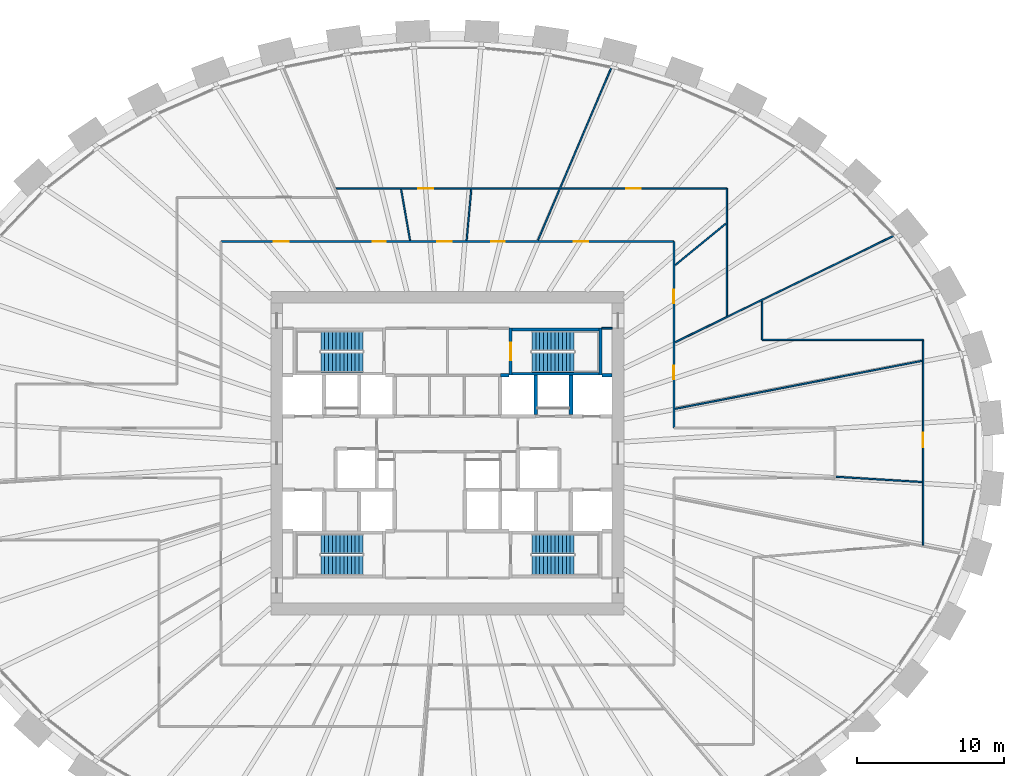
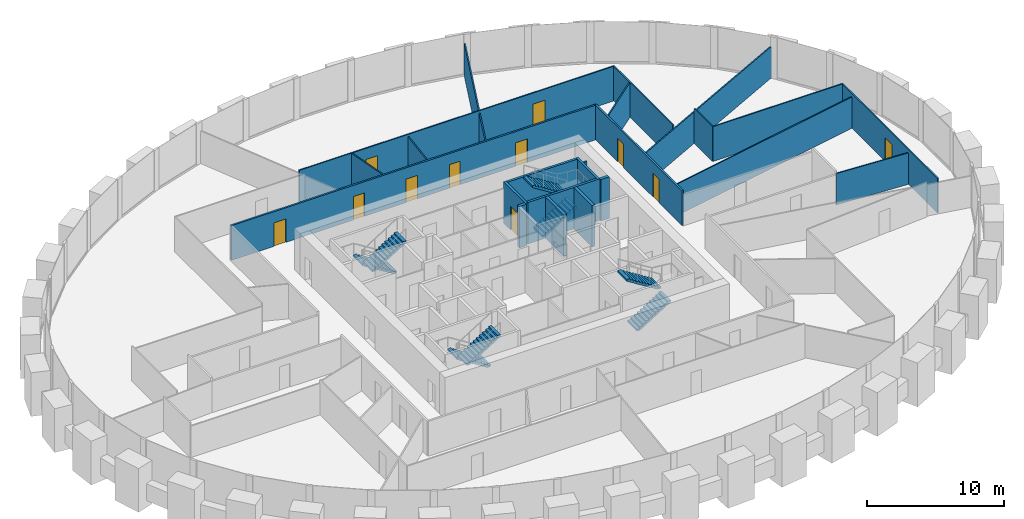
# One storey, part 9 of 10: 23 walls, 11 doors, 8 stair flights, 11 openings, 4 elements without a shape of their own.
"""IFC4 building model written with IfcOpenShell, lengths in metres."""

import ifcopenshell
import ifcopenshell.guid

model = None  # the IFC model being written
_history = None  # IfcOwnerHistory: only IFC2X3 demands one
_inside = {}  # id of a spatial element -> (the spatial element, [elements in it])
_under = {}  # id of a project, library or spatial element -> (it, [spatial elements below it])
_declared = {}  # id of a project -> (the project, [libraries it declares])
_typed = {}  # id of a type object -> (the type object, [elements of that type])
_made_of = {}  # id of a material, layer set ... -> (it, [elements and type objects made of it])


def new_model(schema):
    """Start an empty IFC model of exactly this schema.

    Asked for "IFC4X3", IfcOpenShell would pick the latest addendum, in which some entities
    have other attributes; the version numbers below select the first issue.
    IFC2X3 requires an IfcOwnerHistory on every rooted entity: one is made here for all.
    """
    global model, _history
    if schema == "IFC4X3":
        model = ifcopenshell.file(schema_version=(4, 3, 0, 0))
    else:
        model = ifcopenshell.file(schema=schema)
    _inside.clear()
    _under.clear()
    _declared.clear()
    _typed.clear()
    _made_of.clear()
    _history = None
    if model.schema == "IFC2X3":
        org = make("IfcOrganization", Name="unknown")
        user = make(
            "IfcPersonAndOrganization",
            ThePerson=make("IfcPerson", FamilyName="unknown"),
            TheOrganization=org,
        )
        app = make(
            "IfcApplication",
            ApplicationDeveloper=org,
            Version="unknown",
            ApplicationFullName="unknown",
            ApplicationIdentifier="unknown",
        )
        _history = make(
            "IfcOwnerHistory",
            OwningUser=user,
            OwningApplication=app,
            ChangeAction="ADDED",
            CreationDate=0,
        )
    return model


def make(cls, **values):
    """One entity of the class cls with the attributes given. An attribute that is None is left unset."""
    return model.create_entity(
        cls, **{name: value for name, value in values.items() if value is not None}
    )


def rooted(cls, **values):
    """An entity with a GlobalId (a new one), such as an element, a storey or a relation."""
    return make(cls, GlobalId=ifcopenshell.guid.new(), OwnerHistory=_history, **values)


def si_unit(unit_type, name, prefix=None):
    """IfcSIUnit, for example si_unit("LENGTHUNIT", "METRE", prefix="MILLI")."""
    return make("IfcSIUnit", UnitType=unit_type, Prefix=prefix, Name=name)


def assignment(units):
    """IfcUnitAssignment: the units of a project."""
    return None if units is None else make("IfcUnitAssignment", Units=units)


def point(xyz):
    """IfcCartesianPoint."""
    return None if xyz is None else make("IfcCartesianPoint", Coordinates=xyz)


def direction(xyz):
    """IfcDirection."""
    return None if xyz is None else make("IfcDirection", DirectionRatios=xyz)


def frame(location, z_axis=None, x_axis=None):
    """IfcAxis2Placement3D, a coordinate frame: its origin and axes. An axis left out is left unset."""
    return make(
        "IfcAxis2Placement3D",
        Location=point(location),
        Axis=direction(z_axis),
        RefDirection=direction(x_axis),
    )


def frame_2d(location, x_axis=None):
    """IfcAxis2Placement2D, a coordinate frame in the plane: its origin and x axis."""
    return make(
        "IfcAxis2Placement2D", Location=point(location), RefDirection=direction(x_axis)
    )


def origin():
    """The frame at (0, 0, 0) with its axes left unset."""
    return frame((0.0, 0.0, 0.0))


def place(relative_to, where):
    """IfcLocalPlacement: puts the frame where relative to a parent placement (None: the world)."""
    return make(
        "IfcLocalPlacement", PlacementRelTo=relative_to, RelativePlacement=where
    )


def context(
    kind, dimensions, precision=None, world=None, true_north=None, identifier=None
):
    """IfcGeometricRepresentationContext, for example the 3D "Model" context."""
    return make(
        "IfcGeometricRepresentationContext",
        ContextIdentifier=identifier,
        ContextType=kind,
        CoordinateSpaceDimension=dimensions,
        Precision=precision,
        WorldCoordinateSystem=world,
        TrueNorth=true_north,
    )


def subcontext(parent, identifier, kind, view, scale=None):
    """IfcGeometricRepresentationSubContext, for example "Body" below "Model"."""
    return make(
        "IfcGeometricRepresentationSubContext",
        ContextIdentifier=identifier,
        ContextType=kind,
        ParentContext=parent,
        TargetScale=scale,
        TargetView=view,
    )


def project(units=None, contexts=None):
    """IfcProject with its units and contexts."""
    return rooted(
        "IfcProject",
        Name="project",
        RepresentationContexts=contexts,
        UnitsInContext=assignment(units),
    )


def spatial(cls, under=None, at=None, **own):
    """A site, building, storey or space (cls), placed at a placement, below another one or the project."""
    s = rooted(cls, ObjectPlacement=at, **own)
    if under is not None:
        _under.setdefault(under.id(), (under, []))[1].append(s)
    return s


def polyline(points):
    """IfcPolyline through the points."""
    return make("IfcPolyline", Points=[point(p) for p in points])


def profile(cls, at=None, kind="AREA", **sizes):
    """A parametric profile (cls). Its sizes go by their IFC names, for example OverallWidth=200.0."""
    return make(cls, ProfileType=kind, Position=at, **sizes)


def rectangle(**sizes):
    """IfcRectangleProfileDef."""
    return profile("IfcRectangleProfileDef", **sizes)


def outline(outer, holes=None, kind="AREA"):
    """IfcArbitraryClosedProfileDef: a profile drawn as a closed curve; with holes, ...WithVoids."""
    if holes is None:
        return make("IfcArbitraryClosedProfileDef", ProfileType=kind, OuterCurve=outer)
    return make(
        "IfcArbitraryProfileDefWithVoids",
        ProfileType=kind,
        OuterCurve=outer,
        InnerCurves=holes,
    )


def extrude(swept, where, along, depth):
    """IfcExtrudedAreaSolid: the profile swept, set in the frame where, extruded along a direction by depth."""
    return make(
        "IfcExtrudedAreaSolid",
        SweptArea=swept,
        Position=where,
        ExtrudedDirection=direction(along),
        Depth=depth,
    )


def shape(context_of_items, identifier, shape_type, items):
    """IfcShapeRepresentation: the items that make up one representation, for example the "Body"."""
    return make(
        "IfcShapeRepresentation",
        ContextOfItems=context_of_items,
        RepresentationIdentifier=identifier,
        RepresentationType=shape_type,
        Items=items,
    )


def source(mapping_origin, context_of_items, identifier, shape_type, items):
    """IfcRepresentationMap: a shape defined once, which mapped items show again and again."""
    return make(
        "IfcRepresentationMap",
        MappingOrigin=mapping_origin,
        MappedRepresentation=shape(context_of_items, identifier, shape_type, items),
    )


def transform(
    local_origin,
    x_axis=None,
    y_axis=None,
    z_axis=None,
    scale=None,
    scale2=None,
    scale3=None,
    uniform=True,
):
    """IfcCartesianTransformationOperator3D, or its non-uniform kind. x_axis, y_axis, z_axis: its Axis1, 2, 3."""
    if uniform:
        return make(
            "IfcCartesianTransformationOperator3D",
            Axis1=direction(x_axis),
            Axis2=direction(y_axis),
            LocalOrigin=point(local_origin),
            Scale=scale,
            Axis3=direction(z_axis),
        )
    return make(
        "IfcCartesianTransformationOperator3DnonUniform",
        Axis1=direction(x_axis),
        Axis2=direction(y_axis),
        LocalOrigin=point(local_origin),
        Scale=scale,
        Axis3=direction(z_axis),
        Scale2=scale2,
        Scale3=scale3,
    )


def mapped(mapping_source, mapping_target):
    """IfcMappedItem: shows the shape of a source again, moved by a transform."""
    return make(
        "IfcMappedItem", MappingSource=mapping_source, MappingTarget=mapping_target
    )


def material(Name=None, Category=None):
    """IfcMaterial."""
    return make("IfcMaterial", Name=Name, Category=Category)


def layer(
    of_material, thickness, ventilated=None, Name=None, Category=None, Priority=None
):
    """IfcMaterialLayer: one layer of a wall or slab, of a material (None: an air gap)."""
    return make(
        "IfcMaterialLayer",
        Material=of_material,
        LayerThickness=thickness,
        IsVentilated=ventilated,
        Name=Name,
        Category=Category,
        Priority=Priority,
    )


def layer_set(layers, Name=None):
    """IfcMaterialLayerSet."""
    return make("IfcMaterialLayerSet", MaterialLayers=layers, LayerSetName=Name)


def made_of(thing, what):
    """Note that an element or type object is made of a material, layer set ...; save() writes the relation."""
    if what is not None:
        _made_of.setdefault(what.id(), (what, []))[1].append(thing)
    return thing


def type_object(cls, material=None, **own):
    """A type object (cls), such as IfcWallType, which elements share."""
    return made_of(rooted(cls, **own), material)


def element(
    cls,
    number,
    at=None,
    inside=None,
    cuts=None,
    type_object=None,
    material=None,
    context=None,
    identifier="Body",
    shape_type=None,
    held_by="IfcProductDefinitionShape",
    body=None,
    shapes=None,
    **own,
):
    """One element of the class cls, such as IfcWall. Its Tag is "e" and its number.

    at: its placement. inside: the storey or other place that contains it. cuts: it is an
    opening in that element (IfcRelVoidsElement). A single representation is given by context,
    identifier, shape_type and body (its items); several are given by shapes. held_by: the class
    of the entity that holds the representations. save() writes the other relations.
    """
    e = rooted(cls, Tag="e%d" % number, ObjectPlacement=at, **own)
    if body is not None:
        shapes = [shape(context, identifier, shape_type, body)]
    if shapes is not None:
        e.Representation = make(held_by, Representations=shapes)
    if inside is not None:
        _inside.setdefault(inside.id(), (inside, []))[1].append(e)
    if cuts is not None:
        rooted(
            "IfcRelVoidsElement", RelatingBuildingElement=cuts, RelatedOpeningElement=e
        )
    if type_object is not None:
        _typed.setdefault(type_object.id(), (type_object, []))[1].append(e)
    return made_of(e, material)


def fill(opening, filler):
    """IfcRelFillsElement: the door or window that sits in an opening."""
    return rooted(
        "IfcRelFillsElement",
        RelatingOpeningElement=opening,
        RelatedBuildingElement=filler,
    )


def aggregate(whole, parts):
    """IfcRelAggregates: a whole, such as a stair, and the parts it consists of."""
    return rooted("IfcRelAggregates", RelatingObject=whole, RelatedObjects=parts)


def save(model, path):
    """Write the relations noted so far, then the file.

    IfcRelAggregates (storeys below a building ...), IfcRelContainedInSpatialStructure (elements
    in a storey), IfcRelDefinesByType, IfcRelAssociatesMaterial and IfcRelDeclares: one each for
    every whole, place, type object, material and project.
    """
    for whole, parts in _under.values():
        aggregate(whole, parts)
    for where, things in _inside.values():
        rooted(
            "IfcRelContainedInSpatialStructure",
            RelatedElements=things,
            RelatingStructure=where,
        )
    for kind, things in _typed.values():
        rooted("IfcRelDefinesByType", RelatedObjects=things, RelatingType=kind)
    for what, things in _made_of.values():
        rooted("IfcRelAssociatesMaterial", RelatedObjects=things, RelatingMaterial=what)
    for by, libraries in _declared.values():
        rooted("IfcRelDeclares", RelatingContext=by, RelatedDefinitions=libraries)
    model.write(path)


model = new_model("IFC4")

# Units and contexts
model_context = context("Model", 3, precision=1e-05, world=origin(), true_north=direction((0.0, 1.0)))
body_context = subcontext(model_context, "Body", "Model", "MODEL_VIEW")
ifc_project = project(units=[si_unit("LENGTHUNIT", "METRE"), si_unit("AREAUNIT", "SQUARE_METRE"), si_unit("VOLUMEUNIT", "CUBIC_METRE"), si_unit("PLANEANGLEUNIT", "RADIAN"), si_unit("MASSUNIT", "GRAM", prefix="KILO")], contexts=[model_context])

# Site, building, storey
site_placement = place(None, origin())
site = spatial("IfcSite", under=ifc_project, at=site_placement, CompositionType="ELEMENT")
building_placement = place(site_placement, origin())
building = spatial("IfcBuilding", under=site, at=building_placement, Name="Embergate Tower", CompositionType="ELEMENT")
storey_placement = place(building_placement, frame((0.0, 0.0, 175.5)))
storey = spatial("IfcBuildingStorey", under=building, at=storey_placement, Name="L39", CompositionType="ELEMENT", Elevation=175.5)

# Walls
ifc_material_1 = material(Name="Concrete C50", Category="concrete")
ifc_layer_1 = layer(ifc_material_1, 0.25)
ifc_layer_set_1 = layer_set([ifc_layer_1], Name="Concrete C50")
wall_type_1 = type_object("IfcWallType", Name="Hoistway wall reinforced concrete 250", PredefinedType="SHEAR", material=ifc_layer_set_1)
shared_shape_1 = source(origin(), body_context, "Body", "SweptSolid", [
    extrude(rectangle(XDim=2.675048828125, YDim=0.25, at=frame_2d((1.33740234375, 0.0))), origin(), (0.0, 0.0, 1.0), 3.699951171875),
])
for number, where, z_axis, x_axis, name in (
    (1, (6.0, 2.625, 0.0), (0.0, 0.0, 1.0), (0.0, 1.0, 0.0), "HW-1 wall"),
    (2, (8.39990234375, 2.625, 0.0), (0.0, 0.0, 1.0), (0.0, 1.0, 0.0), "HW-1 wall"),
):
    element("IfcWall", number, at=place(storey_placement, frame(where, z_axis=z_axis, x_axis=x_axis)), inside=storey, type_object=wall_type_1, Name=name, PredefinedType="SHEAR", context=body_context, shape_type="MappedRepresentation", body=[
        mapped(shared_shape_1, transform((0.0, 0.0, 0.0))),
    ])
ifc_layer_2 = layer(ifc_material_1, 0.199951171875)
ifc_layer_set_2 = layer_set([ifc_layer_2], Name="Concrete C50")
wall_type_2 = type_object("IfcWallType", Name="Stair enclosure wall reinforced concrete 250", PredefinedType="SHEAR", material=ifc_layer_set_2)
shared_shape_2 = source(origin(), body_context, "Body", "SweptSolid", [
    extrude(rectangle(XDim=6.300048828125, YDim=0.199951171875, at=frame_2d((3.14990234375, 0.0))), origin(), (0.0, 0.0, 1.0), 3.699951171875),
])
for number, where, z_axis, x_axis, name in (
    (3, (10.5, 5.39990234375, 0.0), (0.0, 0.0, 1.0), (-1.0, 0.0, 0.0), "SE-1 wall"),
    (4, (10.5, 8.39990234375, 0.0), (0.0, 0.0, 1.0), (-1.0, 0.0, 0.0), "SE-1 wall"),
):
    element("IfcWall", number, at=place(storey_placement, frame(where, z_axis=z_axis, x_axis=x_axis)), inside=storey, type_object=wall_type_2, Name=name, PredefinedType="SHEAR", context=body_context, shape_type="MappedRepresentation", body=[
        mapped(shared_shape_2, transform((0.0, 0.0, 0.0))),
    ])

# Wall, opening, door
shared_shape_3 = source(origin(), body_context, "Body", "SweptSolid", [
    extrude(rectangle(XDim=3.199951171875, YDim=0.199951171875, at=frame_2d((1.60009765625, 0.0))), origin(), (0.0, 0.0, 1.0), 3.699951171875),
])
wall_1_placement = place(storey_placement, frame((4.300048828125, 8.5, 0.0), z_axis=(0.0, 0.0, 1.0), x_axis=(0.0, -1.0, 0.0)))
wall_1 = element("IfcWall", 5, at=wall_1_placement, inside=storey, type_object=wall_type_2, Name="SE-1 wall", PredefinedType="SHEAR", context=body_context, shape_type="MappedRepresentation", body=[
    mapped(shared_shape_3, transform((0.0, 0.0, 0.0))),
])
shared_shape_4 = source(origin(), body_context, "Body", "SweptSolid", [
    extrude(rectangle(XDim=1.199951171875, YDim=2.10009765625, at=frame_2d((0.60009765625, 1.050048828125))), frame((0.0, 0.10986328125, 0.0), z_axis=(0.0, -1.0, 0.0), x_axis=(1.0, 0.0, 0.0)), (0.0, 0.0, 1.0), 0.219970703125),
])
opening_1_placement = place(wall_1_placement, frame((1.0, 0.0, 0.0)))
opening_1 = element("IfcOpeningElement", 6, at=opening_1_placement, cuts=wall_1, Name="Opening IF-2", PredefinedType="OPENING", context=body_context, shape_type="MappedRepresentation", body=[
    mapped(shared_shape_4, transform((0.0, 0.0, 0.0))),
])
ifc_material_2 = material(Name="Stair enclosure door 1200")
door_type_1 = type_object("IfcDoorType", Name="Stair enclosure door 1200", OperationType="SINGLE_SWING_LEFT", PredefinedType="DOOR", material=ifc_material_2)
shared_shape_5 = source(origin(), body_context, "Body", "SweptSolid", [
    extrude(rectangle(XDim=1.199951171875, YDim=2.10009765625, at=frame_2d((0.60009765625, 1.050048828125))), frame((0.0, 0.02490234375, 0.0), z_axis=(0.0, -1.0, 0.0), x_axis=(1.0, 0.0, 0.0)), (0.0, 0.0, 1.0), 0.050048828125),
])
door_1_placement = place(opening_1_placement, origin())
door_1 = element("IfcDoor", 7, at=door_1_placement, inside=storey, type_object=door_type_1, Name="IF-2 door", OperationType="SINGLE_SWING_LEFT", OverallHeight=2.10009765625, OverallWidth=1.199951171875, PredefinedType="DOOR", context=body_context, shape_type="MappedRepresentation", body=[
    mapped(shared_shape_5, transform((0.0, 0.0, 0.0))),
])
fill(opening_1, door_1)

# Walls
shared_shape_6 = source(origin(), body_context, "Body", "SweptSolid", [
    extrude(rectangle(XDim=0.599853515625, YDim=0.25, at=frame_2d((0.2998046875, 0.0))), origin(), (0.0, 0.0, 1.0), 3.699951171875),
])
wall_2_placement = place(storey_placement, frame((4.199951171875, 5.300048828125, 0.0), z_axis=(0.0, 0.0, 1.0), x_axis=(-1.0, 0.0, 0.0)))
element("IfcWall", 8, at=wall_2_placement, inside=storey, type_object=wall_type_1, Name="HW-1 wall", PredefinedType="SHEAR", context=body_context, shape_type="MappedRepresentation", body=[
    mapped(shared_shape_6, transform((0.0, 0.0, 0.0))),
])
shared_shape_7 = source(origin(), body_context, "Body", "SweptSolid", [
    extrude(rectangle(XDim=3.196044921875, YDim=0.199951171875, at=frame_2d((1.59814453125, 0.0))), origin(), (0.0, 0.0, 1.0), 3.699951171875),
])
wall_3_placement = place(storey_placement, frame((10.39990234375, 5.302001953125, 0.0), z_axis=(0.0, 0.0, 1.0), x_axis=(0.0, 1.0, 0.0)))
element("IfcWall", 9, at=wall_3_placement, inside=storey, type_object=wall_type_2, Name="SE-1 wall", PredefinedType="SHEAR", context=body_context, shape_type="MappedRepresentation", body=[
    mapped(shared_shape_7, transform((0.0, 0.0, 0.0))),
])
shared_shape_8 = source(origin(), body_context, "Body", "SweptSolid", [
    extrude(rectangle(XDim=0.697998046875, YDim=0.25, at=frame_2d((0.34912109375, 0.0))), origin(), (0.0, 0.0, 1.0), 3.699951171875),
])
wall_4_placement = place(storey_placement, frame((11.199951171875, 5.300048828125, 0.0), z_axis=(0.0, 0.0, 1.0), x_axis=(-1.0, 0.0, 0.0)))
element("IfcWall", 10, at=wall_4_placement, inside=storey, type_object=wall_type_1, Name="HW-1 wall", PredefinedType="SHEAR", context=body_context, shape_type="MappedRepresentation", body=[
    mapped(shared_shape_8, transform((0.0, 0.0, 0.0))),
])
ifc_material_3 = material(Name="Core partition blockwork 120")
ifc_layer_3 = layer(ifc_material_3, 0.1201171875)
ifc_layer_set_3 = layer_set([ifc_layer_3], Name="Core partition blockwork 120")
wall_type_3 = type_object("IfcWallType", Name="Core partition blockwork 120", PredefinedType="PARTITIONING", material=ifc_layer_set_3)
shared_shape_9 = source(origin(), body_context, "Body", "SweptSolid", [
    extrude(rectangle(XDim=0.697998046875, YDim=0.1201171875, at=frame_2d((0.34912109375, 0.0))), origin(), (0.0, 0.0, 1.0), 3.10009765625),
])
wall_5_placement = place(storey_placement, frame((10.501953125, 8.5, 0.0), z_axis=(0.0, 0.0, 1.0), x_axis=(1.0, 0.0, 0.0)))
element("IfcWall", 11, at=wall_5_placement, inside=storey, type_object=wall_type_3, Name="IP-3 wall", PredefinedType="PARTITIONING", context=body_context, shape_type="MappedRepresentation", body=[
    mapped(shared_shape_9, transform((0.0, 0.0, 0.0))),
])

# Wall, openings, doors
ifc_material_4 = material(Name="Corridor wall dry-lined 150")
ifc_layer_4 = layer(ifc_material_4, 0.14990234375)
ifc_layer_set_4 = layer_set([ifc_layer_4], Name="Corridor wall dry-lined 150")
wall_type_4 = type_object("IfcWallType", Name="Corridor wall dry-lined 150", PredefinedType="PARTITIONING", material=ifc_layer_set_4)
shared_shape_10 = source(origin(), body_context, "Body", "SweptSolid", [
    extrude(rectangle(XDim=12.699951171875, YDim=0.14990234375, at=frame_2d((6.35009765625, 0.0))), origin(), (0.0, 0.0, 1.0), 3.10009765625),
])
wall_6_placement = place(storey_placement, frame((15.39990234375, 14.39990234375, 0.0), z_axis=(0.0, 0.0, 1.0), x_axis=(0.0, -1.0, 0.0)))
wall_6 = element("IfcWall", 12, at=wall_6_placement, inside=storey, type_object=wall_type_4, Name="IP-2 wall", PredefinedType="PARTITIONING", context=body_context, shape_type="MappedRepresentation", body=[
    mapped(shared_shape_10, transform((0.0, 0.0, 0.0))),
])
shared_shape_11 = source(origin(), body_context, "Body", "SweptSolid", [
    extrude(rectangle(XDim=0.89990234375, YDim=2.10009765625, at=frame_2d((0.449951171875, 1.050048828125))), frame((0.0, 0.0849609375, 0.0), z_axis=(0.0, -1.0, 0.0), x_axis=(1.0, 0.0, 0.0)), (0.0, 0.0, 1.0), 0.169921875),
])
opening_2_placement = place(wall_6_placement, frame((8.4619140625, 0.0, 0.0)))
opening_2 = element("IfcOpeningElement", 13, at=opening_2_placement, cuts=wall_6, Name="Opening IF-1c", PredefinedType="OPENING", context=body_context, shape_type="MappedRepresentation", body=[
    mapped(shared_shape_11, transform((0.0, 0.0, 0.0))),
])
opening_3_placement = place(wall_6_placement, frame((3.2939453125, 0.0, 0.0)))
opening_3 = element("IfcOpeningElement", 14, at=opening_3_placement, cuts=wall_6, Name="Opening IF-1c", PredefinedType="OPENING", context=body_context, shape_type="MappedRepresentation", body=[
    mapped(shared_shape_11, transform((0.0, 0.0, 0.0))),
])
ifc_material_5 = material(Name="Escape fire door 900")
door_type_2 = type_object("IfcDoorType", Name="Escape fire door 900", OperationType="SINGLE_SWING_LEFT", PredefinedType="DOOR", material=ifc_material_5)
shared_shape_12 = source(origin(), body_context, "Body", "SweptSolid", [
    extrude(rectangle(XDim=0.89990234375, YDim=2.10009765625, at=frame_2d((0.449951171875, 1.050048828125))), frame((0.0, 0.02490234375, 0.0), z_axis=(0.0, -1.0, 0.0), x_axis=(1.0, 0.0, 0.0)), (0.0, 0.0, 1.0), 0.050048828125),
])
door_2_placement = place(opening_2_placement, origin())
door_2 = element("IfcDoor", 15, at=door_2_placement, inside=storey, type_object=door_type_2, Name="IF-1 door", OperationType="SINGLE_SWING_LEFT", OverallHeight=2.10009765625, OverallWidth=0.89990234375, PredefinedType="DOOR", context=body_context, shape_type="MappedRepresentation", body=[
    mapped(shared_shape_12, transform((0.0, 0.0, 0.0))),
])
fill(opening_2, door_2)
door_3_placement = place(opening_3_placement, origin())
door_3 = element("IfcDoor", 16, at=door_3_placement, inside=storey, type_object=door_type_2, Name="IF-1 door", OperationType="SINGLE_SWING_RIGHT", OverallHeight=2.10009765625, OverallWidth=0.89990234375, PredefinedType="DOOR", context=body_context, shape_type="MappedRepresentation", body=[
    mapped(shared_shape_12, transform((0.0, 0.0, 0.0))),
])
fill(opening_3, door_3)

shared_shape_13 = source(origin(), body_context, "Body", "SweptSolid", [
    extrude(rectangle(XDim=30.7998046875, YDim=0.14990234375, at=frame_2d((15.39990234375, 0.0))), origin(), (0.0, 0.0, 1.0), 3.10009765625),
])
wall_7_placement = place(storey_placement, frame((-15.39990234375, 14.39990234375, 0.0), z_axis=(0.0, 0.0, 1.0), x_axis=(1.0, 0.0, 0.0)))
wall_7 = element("IfcWall", 17, at=wall_7_placement, inside=storey, type_object=wall_type_4, Name="IP-2 wall", PredefinedType="PARTITIONING", context=body_context, shape_type="MappedRepresentation", body=[
    mapped(shared_shape_13, transform((0.0, 0.0, 0.0))),
])
shared_shape_14 = source(origin(), body_context, "Body", "SweptSolid", [
    extrude(rectangle(XDim=1.0, YDim=2.10009765625, at=frame_2d((0.5, 1.050048828125))), frame((0.0, 0.0849609375, 0.0), z_axis=(0.0, -1.0, 0.0), x_axis=(1.0, 0.0, 0.0)), (0.0, 0.0, 1.0), 0.169921875),
])
opening_4_placement = place(wall_7_placement, frame((23.97412109375, 0.0, 0.0)))
opening_4 = element("IfcOpeningElement", 18, at=opening_4_placement, cuts=wall_7, Name="Opening ID-2", PredefinedType="OPENING", context=body_context, shape_type="MappedRepresentation", body=[
    mapped(shared_shape_14, transform((0.0, 0.0, 0.0))),
])
opening_5_placement = place(wall_7_placement, frame((18.39697265625, 0.0, 0.0)))
opening_5 = element("IfcOpeningElement", 19, at=opening_5_placement, cuts=wall_7, Name="Opening IF-1c", PredefinedType="OPENING", context=body_context, shape_type="MappedRepresentation", body=[
    mapped(shared_shape_11, transform((0.0, 0.0, 0.0))),
])
opening_6_placement = place(wall_7_placement, frame((14.708984375, 0.0, 0.0)))
opening_6 = element("IfcOpeningElement", 20, at=opening_6_placement, cuts=wall_7, Name="Opening ID-2", PredefinedType="OPENING", context=body_context, shape_type="MappedRepresentation", body=[
    mapped(shared_shape_14, transform((0.0, 0.0, 0.0))),
])
opening_7_placement = place(wall_7_placement, frame((10.30908203125, 0.0, 0.0)))
opening_7 = element("IfcOpeningElement", 21, at=opening_7_placement, cuts=wall_7, Name="Opening IF-1c", PredefinedType="OPENING", context=body_context, shape_type="MappedRepresentation", body=[
    mapped(shared_shape_11, transform((0.0, 0.0, 0.0))),
])
opening_8_placement = place(wall_7_placement, frame((3.60009765625, 0.0, 0.0)))
opening_8 = element("IfcOpeningElement", 22, at=opening_8_placement, cuts=wall_7, Name="Opening ID-2", PredefinedType="OPENING", context=body_context, shape_type="MappedRepresentation", body=[
    mapped(shared_shape_14, transform((0.0, 0.0, 0.0))),
])
door_4_placement = place(opening_5_placement, origin())
door_4 = element("IfcDoor", 23, at=door_4_placement, inside=storey, type_object=door_type_2, Name="IF-1 door", OperationType="SINGLE_SWING_RIGHT", OverallHeight=2.10009765625, OverallWidth=0.89990234375, PredefinedType="DOOR", context=body_context, shape_type="MappedRepresentation", body=[
    mapped(shared_shape_12, transform((0.0, 0.0, 0.0))),
])
fill(opening_5, door_4)
door_5_placement = place(opening_7_placement, origin())
door_5 = element("IfcDoor", 24, at=door_5_placement, inside=storey, type_object=door_type_2, Name="IF-1 door", OperationType="SINGLE_SWING_LEFT", OverallHeight=2.10009765625, OverallWidth=0.89990234375, PredefinedType="DOOR", context=body_context, shape_type="MappedRepresentation", body=[
    mapped(shared_shape_12, transform((0.0, 0.0, 0.0))),
])
fill(opening_7, door_5)
ifc_material_6 = material(Name="Interior door 1000")
door_type_3 = type_object("IfcDoorType", Name="Interior door 1000", OperationType="SINGLE_SWING_LEFT", PredefinedType="DOOR", material=ifc_material_6)
shared_shape_15 = source(origin(), body_context, "Body", "SweptSolid", [
    extrude(rectangle(XDim=1.0, YDim=2.10009765625, at=frame_2d((0.5, 1.050048828125))), frame((0.0, 0.02490234375, 0.0), z_axis=(0.0, -1.0, 0.0), x_axis=(1.0, 0.0, 0.0)), (0.0, 0.0, 1.0), 0.050048828125),
])
door_6_placement = place(opening_4_placement, origin())
door_6 = element("IfcDoor", 25, at=door_6_placement, inside=storey, type_object=door_type_3, Name="ID-2 door", OperationType="SINGLE_SWING_RIGHT", OverallHeight=2.10009765625, OverallWidth=1.0, PredefinedType="DOOR", context=body_context, shape_type="MappedRepresentation", body=[
    mapped(shared_shape_15, transform((0.0, 0.0, 0.0))),
])
fill(opening_4, door_6)
door_7_placement = place(opening_6_placement, origin())
door_7 = element("IfcDoor", 26, at=door_7_placement, inside=storey, type_object=door_type_3, Name="ID-2 door", OperationType="SINGLE_SWING_LEFT", OverallHeight=2.10009765625, OverallWidth=1.0, PredefinedType="DOOR", context=body_context, shape_type="MappedRepresentation", body=[
    mapped(shared_shape_15, transform((0.0, 0.0, 0.0))),
])
fill(opening_6, door_7)
door_8_placement = place(opening_8_placement, origin())
door_8 = element("IfcDoor", 27, at=door_8_placement, inside=storey, type_object=door_type_3, Name="ID-2 door", OperationType="SINGLE_SWING_RIGHT", OverallHeight=2.10009765625, OverallWidth=1.0, PredefinedType="DOOR", context=body_context, shape_type="MappedRepresentation", body=[
    mapped(shared_shape_15, transform((0.0, 0.0, 0.0))),
])
fill(opening_8, door_8)

# Wall
ifc_material_7 = material(Name="Partition dry-lined 100")
ifc_layer_5 = layer(ifc_material_7, 0.10009765625)
ifc_layer_set_5 = layer_set([ifc_layer_5], Name="Partition dry-lined 100")
wall_type_5 = type_object("IfcWallType", Name="Partition dry-lined 100", PredefinedType="PARTITIONING", material=ifc_layer_set_5)
shared_shape_16 = source(origin(), body_context, "Body", "SweptSolid", [
    extrude(rectangle(XDim=5.885986328125, YDim=0.10009765625, at=frame_2d((2.94287109375, 0.0))), origin(), (0.0, 0.0, 1.0), 2.800048828125),
])
wall_8_placement = place(storey_placement, frame((32.300048828125, -1.966064453125, 0.0), z_axis=(0.0, 0.0, 1.0), x_axis=(-0.998146954273, 0.060849467334, 0.0)))
element("IfcWall", 28, at=wall_8_placement, inside=storey, type_object=wall_type_5, Name="IP-1 wall", PredefinedType="PARTITIONING", context=body_context, shape_type="MappedRepresentation", body=[
    mapped(shared_shape_16, transform((0.0, 0.0, 0.0))),
])

# Wall, opening, door
shared_shape_17 = source(origin(), body_context, "Body", "SweptSolid", [
    extrude(rectangle(XDim=13.9619140625, YDim=0.10009765625, at=frame_2d((6.98095703125, 0.0))), origin(), (0.0, 0.0, 1.0), 3.10009765625),
])
wall_9_placement = place(storey_placement, frame((32.35009765625, 7.699951171875, 0.0), z_axis=(0.0, 0.0, 1.0), x_axis=(0.0, -1.0, 0.0)))
wall_9 = element("IfcWall", 29, at=wall_9_placement, inside=storey, type_object=wall_type_5, Name="IP-1 wall", PredefinedType="PARTITIONING", context=body_context, shape_type="MappedRepresentation", body=[
    mapped(shared_shape_17, transform((0.0, 0.0, 0.0))),
])
shared_shape_18 = source(origin(), body_context, "Body", "SweptSolid", [
    extrude(rectangle(XDim=1.0, YDim=2.10009765625, at=frame_2d((0.5, 1.050048828125))), frame((0.0, 0.06005859375, 0.0), z_axis=(0.0, -1.0, 0.0), x_axis=(1.0, 0.0, 0.0)), (0.0, 0.0, 1.0), 0.1201171875),
])
opening_9_placement = place(wall_9_placement, frame((6.303955078125, 0.0, 0.0)))
opening_9 = element("IfcOpeningElement", 30, at=opening_9_placement, cuts=wall_9, Name="Opening ID-2", PredefinedType="OPENING", context=body_context, shape_type="MappedRepresentation", body=[
    mapped(shared_shape_18, transform((0.0, 0.0, 0.0))),
])
door_9_placement = place(opening_9_placement, origin())
door_9 = element("IfcDoor", 31, at=door_9_placement, inside=storey, type_object=door_type_3, Name="ID-2 door", OperationType="SINGLE_SWING_LEFT", OverallHeight=2.10009765625, OverallWidth=1.0, PredefinedType="DOOR", context=body_context, shape_type="MappedRepresentation", body=[
    mapped(shared_shape_15, transform((0.0, 0.0, 0.0))),
])
fill(opening_9, door_9)

# Walls
shared_shape_19 = source(origin(), body_context, "Body", "SweptSolid", [
    extrude(rectangle(XDim=17.12060546875, YDim=0.10009765625, at=frame_2d((8.560302734375, 0.0))), origin(), (0.0, 0.0, 1.0), 2.800048828125),
])
wall_10_placement = place(storey_placement, frame((15.485107421875, 3.010986328125, 0.0), z_axis=(0.0, 0.0, 1.0), x_axis=(0.981612643598, 0.190883781211, 0.0)))
element("IfcWall", 32, at=wall_10_placement, inside=storey, type_object=wall_type_5, Name="IP-1 wall", PredefinedType="PARTITIONING", context=body_context, shape_type="MappedRepresentation", body=[
    mapped(shared_shape_19, transform((0.0, 0.0, 0.0))),
])
shared_shape_20 = source(origin(), body_context, "Body", "SweptSolid", [
    extrude(rectangle(XDim=2.64208984375, YDim=0.10009765625, at=frame_2d((1.321044921875, 0.0))), origin(), (0.0, 0.0, 1.0), 3.10009765625),
])
wall_11_placement = place(storey_placement, frame((21.39990234375, 10.342041015625, 0.0), z_axis=(0.0, 0.0, 1.0), x_axis=(0.0, -1.0, 0.0)))
element("IfcWall", 33, at=wall_11_placement, inside=storey, type_object=wall_type_5, Name="IP-1 wall", PredefinedType="PARTITIONING", context=body_context, shape_type="MappedRepresentation", body=[
    mapped(shared_shape_20, transform((0.0, 0.0, 0.0))),
])
shared_shape_21 = source(origin(), body_context, "Body", "SweptSolid", [
    extrude(rectangle(XDim=10.9501953125, YDim=0.10009765625, at=frame_2d((5.47509765625, 0.0))), origin(), (0.0, 0.0, 1.0), 3.10009765625),
])
wall_12_placement = place(storey_placement, frame((21.39990234375, 7.699951171875, 0.0), z_axis=(0.0, 0.0, 1.0), x_axis=(1.0, 0.0, 0.0)))
element("IfcWall", 34, at=wall_12_placement, inside=storey, type_object=wall_type_5, Name="IP-1 wall", PredefinedType="PARTITIONING", context=body_context, shape_type="MappedRepresentation", body=[
    mapped(shared_shape_21, transform((0.0, 0.0, 0.0))),
])
shared_shape_22 = source(origin(), body_context, "Body", "SweptSolid", [
    extrude(rectangle(XDim=16.563720703125, YDim=0.10009765625, at=frame_2d((8.28173828125, 0.0))), origin(), (0.0, 0.0, 1.0), 2.800048828125),
])
wall_13_placement = place(storey_placement, frame((15.4970703125, 7.547119140625, 0.0), z_axis=(0.0, 0.0, 1.0), x_axis=(0.899062324196, 0.437820667867, 0.0)))
element("IfcWall", 35, at=wall_13_placement, inside=storey, type_object=wall_type_5, Name="IP-1 wall", PredefinedType="PARTITIONING", context=body_context, shape_type="MappedRepresentation", body=[
    mapped(shared_shape_22, transform((0.0, 0.0, 0.0))),
])
shared_shape_23 = source(origin(), body_context, "Body", "SweptSolid", [
    extrude(rectangle(XDim=4.421875, YDim=0.10009765625, at=frame_2d((2.2109375, 0.0))), origin(), (0.0, 0.0, 1.0), 3.10009765625),
])
wall_14_placement = place(storey_placement, frame((15.507080078125, 12.7890625, 0.0), z_axis=(0.0, 0.0, 1.0), x_axis=(0.77137531128, 0.63638049086, 0.0)))
element("IfcWall", 36, at=wall_14_placement, inside=storey, type_object=wall_type_5, Name="IP-1 wall", PredefinedType="PARTITIONING", context=body_context, shape_type="MappedRepresentation", body=[
    mapped(shared_shape_23, transform((0.0, 0.0, 0.0))),
])
shared_shape_24 = source(origin(), body_context, "Body", "SweptSolid", [
    extrude(rectangle(XDim=8.6669921875, YDim=0.10009765625, at=frame_2d((4.33349609375, 0.0))), origin(), (0.0, 0.0, 1.0), 3.10009765625),
])
wall_15_placement = place(storey_placement, frame((19.0, 18.0, 0.0), z_axis=(0.0, 0.0, 1.0), x_axis=(0.0, -1.0, 0.0)))
element("IfcWall", 37, at=wall_15_placement, inside=storey, type_object=wall_type_5, Name="IP-1 wall", PredefinedType="PARTITIONING", context=body_context, shape_type="MappedRepresentation", body=[
    mapped(shared_shape_24, transform((0.0, 0.0, 0.0))),
])
shared_shape_25 = source(origin(), body_context, "Body", "SweptSolid", [
    extrude(rectangle(XDim=12.767333984375, YDim=0.10009765625, at=frame_2d((6.3837890625, 0.0))), origin(), (0.0, 0.0, 1.0), 2.89990234375),
])
wall_16_placement = place(storey_placement, frame((6.1650390625, 14.4951171875, 0.0), z_axis=(0.0, 0.0, 1.0), x_axis=(0.391395319475, 0.92022263822, 0.0)))
element("IfcWall", 38, at=wall_16_placement, inside=storey, type_object=wall_type_5, Name="IP-1 wall", PredefinedType="PARTITIONING", context=body_context, shape_type="MappedRepresentation", body=[
    mapped(shared_shape_25, transform((0.0, 0.0, 0.0))),
])

# Wall, openings, doors
shared_shape_26 = source(origin(), body_context, "Body", "SweptSolid", [
    extrude(rectangle(XDim=26.580078125, YDim=0.10009765625, at=frame_2d((13.2900390625, 0.0))), origin(), (0.0, 0.0, 1.0), 3.10009765625),
])
wall_17_placement = place(storey_placement, frame((-7.580078125, 18.0, 0.0), z_axis=(0.0, 0.0, 1.0), x_axis=(1.0, 0.0, 0.0)))
wall_17 = element("IfcWall", 39, at=wall_17_placement, inside=storey, type_object=wall_type_5, Name="IP-1 wall", PredefinedType="PARTITIONING", context=body_context, shape_type="MappedRepresentation", body=[
    mapped(shared_shape_26, transform((0.0, 0.0, 0.0))),
])
opening_10_placement = place(wall_17_placement, frame((19.72607421875, 0.0, 0.0)))
opening_10 = element("IfcOpeningElement", 40, at=opening_10_placement, cuts=wall_17, Name="Opening ID-2", PredefinedType="OPENING", context=body_context, shape_type="MappedRepresentation", body=[
    mapped(shared_shape_18, transform((0.0, 0.0, 0.0))),
])
opening_11_placement = place(wall_17_placement, frame((5.611083984375, 0.0, 0.0)))
opening_11 = element("IfcOpeningElement", 41, at=opening_11_placement, cuts=wall_17, Name="Opening ID-2", PredefinedType="OPENING", context=body_context, shape_type="MappedRepresentation", body=[
    mapped(shared_shape_18, transform((0.0, 0.0, 0.0))),
])
door_10_placement = place(opening_10_placement, origin())
door_10 = element("IfcDoor", 42, at=door_10_placement, inside=storey, type_object=door_type_3, Name="ID-2 door", OperationType="SINGLE_SWING_RIGHT", OverallHeight=2.10009765625, OverallWidth=1.0, PredefinedType="DOOR", context=body_context, shape_type="MappedRepresentation", body=[
    mapped(shared_shape_15, transform((0.0, 0.0, 0.0))),
])
fill(opening_10, door_10)
door_11_placement = place(opening_11_placement, origin())
door_11 = element("IfcDoor", 43, at=door_11_placement, inside=storey, type_object=door_type_3, Name="ID-2 door", OperationType="SINGLE_SWING_RIGHT", OverallHeight=2.10009765625, OverallWidth=1.0, PredefinedType="DOOR", context=body_context, shape_type="MappedRepresentation", body=[
    mapped(shared_shape_15, transform((0.0, 0.0, 0.0))),
])
fill(opening_11, door_11)

# Walls
shared_shape_27 = source(origin(), body_context, "Body", "SweptSolid", [
    extrude(rectangle(XDim=3.489013671875, YDim=0.10009765625, at=frame_2d((1.74462890625, 0.0))), origin(), (0.0, 0.0, 1.0), 2.89990234375),
])
wall_18_placement = place(storey_placement, frame((1.306884765625, 14.47509765625, 0.0), z_axis=(0.0, 0.0, 1.0), x_axis=(0.090056243152, 0.995936681255, 0.0)))
element("IfcWall", 44, at=wall_18_placement, inside=storey, type_object=wall_type_5, Name="IP-1 wall", PredefinedType="PARTITIONING", context=body_context, shape_type="MappedRepresentation", body=[
    mapped(shared_shape_27, transform((0.0, 0.0, 0.0))),
])
shared_shape_28 = source(origin(), body_context, "Body", "SweptSolid", [
    extrude(rectangle(XDim=3.510009765625, YDim=0.10009765625, at=frame_2d((1.7548828125, 0.0))), origin(), (0.0, 0.0, 1.0), 3.10009765625),
])
wall_19_placement = place(storey_placement, frame((-2.54296875, 14.48388671875, 0.0), z_axis=(0.0, 0.0, 1.0), x_axis=(-0.173190123046, 0.984888410572, 0.0)))
element("IfcWall", 45, at=wall_19_placement, inside=storey, type_object=wall_type_5, Name="IP-1 wall", PredefinedType="PARTITIONING", context=body_context, shape_type="MappedRepresentation", body=[
    mapped(shared_shape_28, transform((0.0, 0.0, 0.0))),
])

# Stair, stair flights
ifc_material_8 = material(Name="Exit stair")
stair_type = type_object("IfcStairType", Name="Exit stair", PredefinedType="HALF_TURN_STAIR", material=ifc_material_8)
stair_1_placement = place(storey_placement, origin())
stair_1 = element("IfcStair", 46, at=stair_1_placement, inside=storey, type_object=stair_type, Name="L39 Exit stair 1", PredefinedType="HALF_TURN_STAIR")
ifc_material_9 = material(Name="Concrete C40", Category="concrete")
stair_flight_type = type_object("IfcStairFlightType", Name="Stair flight reinforced concrete", PredefinedType="STRAIGHT", material=ifc_material_9)
shared_shape_29 = source(origin(), body_context, "Body", "SweptSolid", [
    extrude(outline(polyline([(0.0, 0.0), (0.0, 0.16259765625), (0.260009765625, 0.16259765625), (0.260009765625, 0.324951171875), (0.52001953125, 0.324951171875), (0.52001953125, 0.487548828125), (0.780029296875, 0.487548828125), (0.780029296875, 0.64990234375), (1.0400390625, 0.64990234375), (1.0400390625, 0.8125), (1.300048828125, 0.8125), (1.300048828125, 0.97509765625), (1.56005859375, 0.97509765625), (1.56005859375, 1.137451171875), (1.820068359375, 1.137451171875), (1.820068359375, 1.300048828125), (2.080078125, 1.300048828125), (2.080078125, 1.46240234375), (2.340087890625, 1.46240234375), (2.340087890625, 1.625), (2.60009765625, 1.625), (2.60009765625, 1.78759765625), (2.860107421875, 1.78759765625), (2.860107421875, 1.949951171875), (2.860107421875, 1.61083984375), (0.28271484375, 0.0), (0.0, 0.0)])), frame((0.0, 0.675048828125, 0.0), z_axis=(0.0, -1.0, 0.0), x_axis=(1.0, 0.0, 0.0)), (0.0, 0.0, 1.0), 1.35009765625),
])
stair_flight_1_placement = place(storey_placement, frame((-5.75, 7.625, 0.0), z_axis=(0.0, 0.0, 1.0), x_axis=(-1.0, 0.0, 0.0)))
stair_flight_1 = element("IfcStairFlight", 47, at=stair_flight_1_placement, type_object=stair_flight_type, Name="ST1 flight 1", NumberOfRisers=12, NumberOfTreads=11, PredefinedType="STRAIGHT", RiserHeight=0.1625, TreadLength=0.26, context=body_context, shape_type="MappedRepresentation", body=[
    mapped(shared_shape_29, transform((0.0, 0.0, 0.0))),
])
stair_flight_2_placement = place(storey_placement, frame((-8.610107421875, 6.175048828125, 1.949951171875), z_axis=(0.0, 0.0, 1.0), x_axis=(1.0, 0.0, 0.0)))
stair_flight_2 = element("IfcStairFlight", 48, at=stair_flight_2_placement, type_object=stair_flight_type, Name="ST1 flight 2", NumberOfRisers=12, NumberOfTreads=11, PredefinedType="STRAIGHT", RiserHeight=0.1625, TreadLength=0.26, context=body_context, shape_type="MappedRepresentation", body=[
    mapped(shared_shape_29, transform((0.0, 0.0, 0.0))),
])
aggregate(stair_1, [stair_flight_1, stair_flight_2])

stair_2_placement = place(storey_placement, origin())
stair_2 = element("IfcStair", 49, at=stair_2_placement, inside=storey, type_object=stair_type, Name="L39 Exit stair 2", PredefinedType="HALF_TURN_STAIR")
stair_flight_3_placement = place(storey_placement, frame((5.75, 6.175048828125, 0.0), z_axis=(0.0, 0.0, 1.0), x_axis=(1.0, 0.0, 0.0)))
stair_flight_3 = element("IfcStairFlight", 50, at=stair_flight_3_placement, type_object=stair_flight_type, Name="ST2 flight 1", NumberOfRisers=12, NumberOfTreads=11, PredefinedType="STRAIGHT", RiserHeight=0.1625, TreadLength=0.26, context=body_context, shape_type="MappedRepresentation", body=[
    mapped(shared_shape_29, transform((0.0, 0.0, 0.0))),
])
stair_flight_4_placement = place(storey_placement, frame((8.610107421875, 7.625, 1.949951171875), z_axis=(0.0, 0.0, 1.0), x_axis=(-1.0, 0.0, 0.0)))
stair_flight_4 = element("IfcStairFlight", 51, at=stair_flight_4_placement, type_object=stair_flight_type, Name="ST2 flight 2", NumberOfRisers=12, NumberOfTreads=11, PredefinedType="STRAIGHT", RiserHeight=0.1625, TreadLength=0.26, context=body_context, shape_type="MappedRepresentation", body=[
    mapped(shared_shape_29, transform((0.0, 0.0, 0.0))),
])
aggregate(stair_2, [stair_flight_3, stair_flight_4])

stair_3_placement = place(storey_placement, origin())
stair_3 = element("IfcStair", 52, at=stair_3_placement, inside=storey, type_object=stair_type, Name="L39 Exit stair 3", PredefinedType="HALF_TURN_STAIR")
stair_flight_5_placement = place(storey_placement, frame((-5.75, -6.175048828125, 0.0), z_axis=(0.0, 0.0, 1.0), x_axis=(-1.0, 0.0, 0.0)))
stair_flight_5 = element("IfcStairFlight", 53, at=stair_flight_5_placement, type_object=stair_flight_type, Name="ST3 flight 1", NumberOfRisers=12, NumberOfTreads=11, PredefinedType="STRAIGHT", RiserHeight=0.1625, TreadLength=0.26, context=body_context, shape_type="MappedRepresentation", body=[
    mapped(shared_shape_29, transform((0.0, 0.0, 0.0))),
])
stair_flight_6_placement = place(storey_placement, frame((-8.610107421875, -7.625, 1.949951171875), z_axis=(0.0, 0.0, 1.0), x_axis=(1.0, 0.0, 0.0)))
stair_flight_6 = element("IfcStairFlight", 54, at=stair_flight_6_placement, type_object=stair_flight_type, Name="ST3 flight 2", NumberOfRisers=12, NumberOfTreads=11, PredefinedType="STRAIGHT", RiserHeight=0.1625, TreadLength=0.26, context=body_context, shape_type="MappedRepresentation", body=[
    mapped(shared_shape_29, transform((0.0, 0.0, 0.0))),
])
aggregate(stair_3, [stair_flight_5, stair_flight_6])

stair_4_placement = place(storey_placement, origin())
stair_4 = element("IfcStair", 55, at=stair_4_placement, inside=storey, type_object=stair_type, Name="L39 Exit stair 4", PredefinedType="HALF_TURN_STAIR")
stair_flight_7_placement = place(storey_placement, frame((5.75, -7.625, 0.0), z_axis=(0.0, 0.0, 1.0), x_axis=(1.0, 0.0, 0.0)))
stair_flight_7 = element("IfcStairFlight", 56, at=stair_flight_7_placement, type_object=stair_flight_type, Name="ST4 flight 1", NumberOfRisers=12, NumberOfTreads=11, PredefinedType="STRAIGHT", RiserHeight=0.1625, TreadLength=0.26, context=body_context, shape_type="MappedRepresentation", body=[
    mapped(shared_shape_29, transform((0.0, 0.0, 0.0))),
])
stair_flight_8_placement = place(storey_placement, frame((8.610107421875, -6.175048828125, 1.949951171875), z_axis=(0.0, 0.0, 1.0), x_axis=(-1.0, 0.0, 0.0)))
stair_flight_8 = element("IfcStairFlight", 57, at=stair_flight_8_placement, type_object=stair_flight_type, Name="ST4 flight 2", NumberOfRisers=12, NumberOfTreads=11, PredefinedType="STRAIGHT", RiserHeight=0.1625, TreadLength=0.26, context=body_context, shape_type="MappedRepresentation", body=[
    mapped(shared_shape_29, transform((0.0, 0.0, 0.0))),
])
aggregate(stair_4, [stair_flight_7, stair_flight_8])

save(model, "model.ifc")
